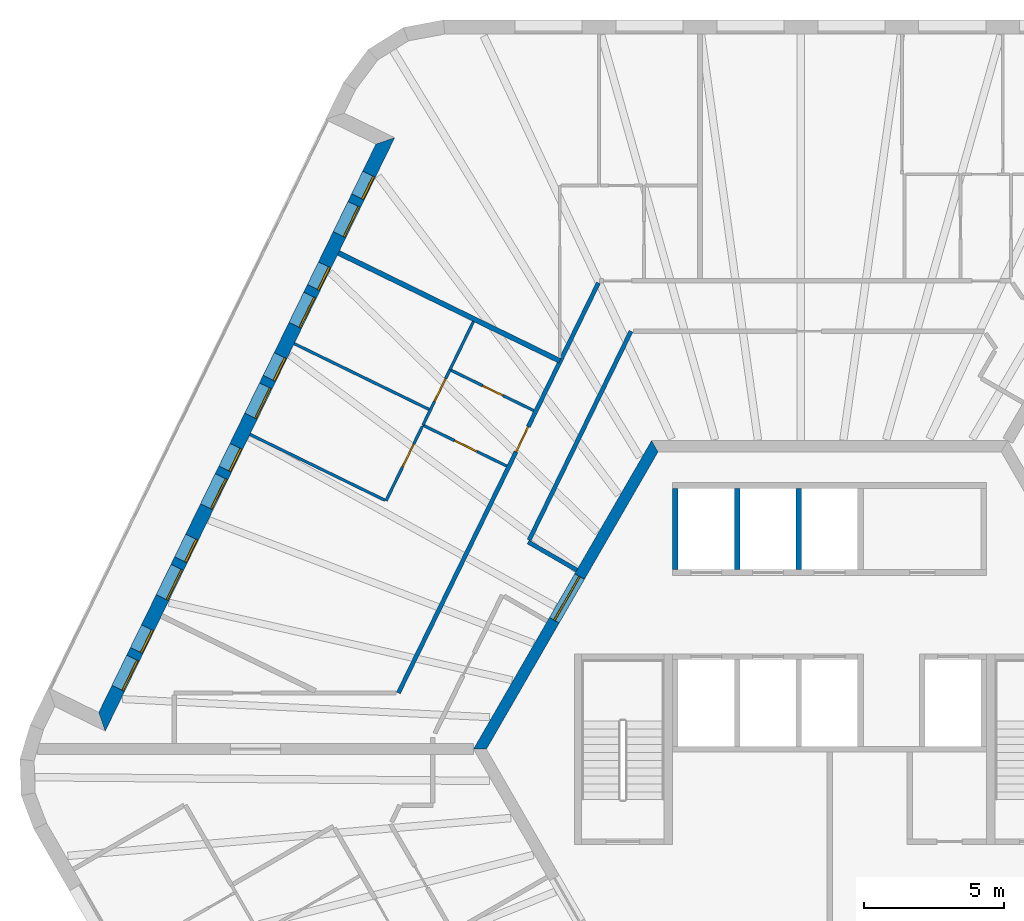
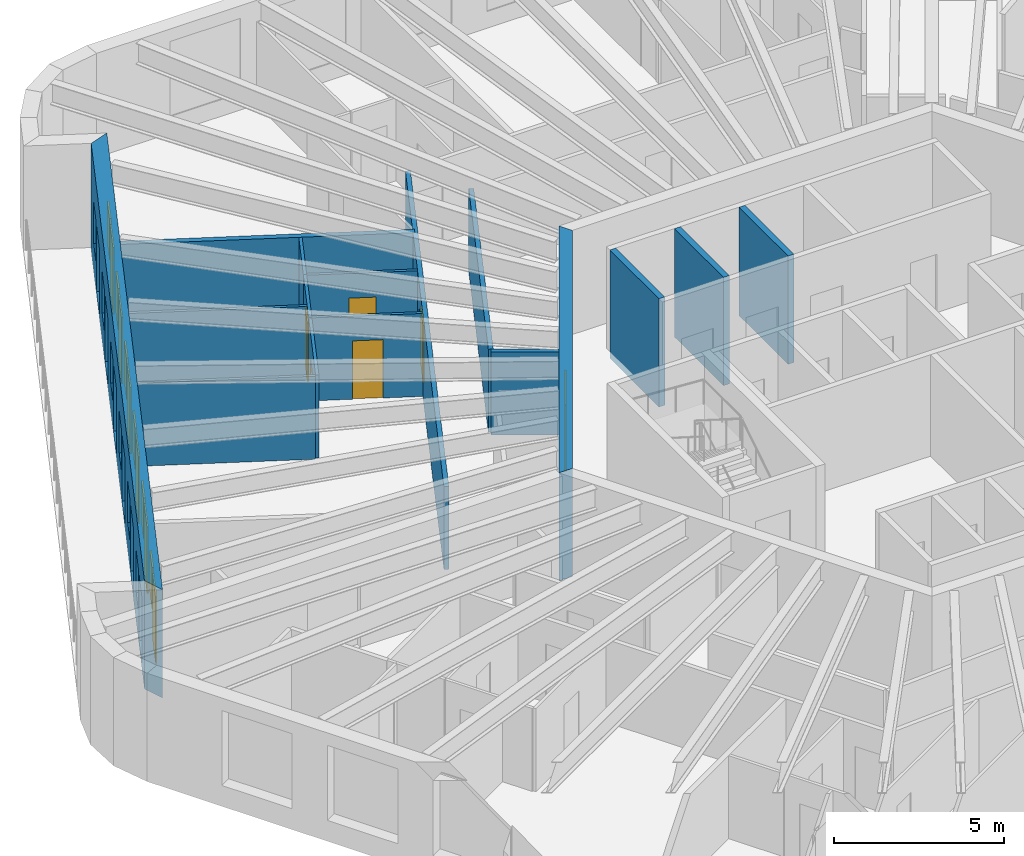
# One storey, part 8 of 12: 16 walls, 12 doors, 6 windows, 18 openings.
"""IFC4 building model written with IfcOpenShell, lengths in metres."""

from ifc_helpers import new_model, si_unit, direction, frame, frame_2d, origin, place, context, subcontext, project, spatial, polyline, rectangle, outline, extrude, material, layer, layer_set, type_object, element, fill, save


model = new_model("IFC4")

# Units and contexts
model_context = context("Model", 3, precision=1e-05, world=origin(), true_north=direction((0.0, 1.0)))
body_context = subcontext(model_context, "Body", "Model", "MODEL_VIEW")
ifc_project = project(units=[si_unit("LENGTHUNIT", "METRE"), si_unit("AREAUNIT", "SQUARE_METRE"), si_unit("VOLUMEUNIT", "CUBIC_METRE"), si_unit("PLANEANGLEUNIT", "RADIAN"), si_unit("MASSUNIT", "GRAM", prefix="KILO")], contexts=[model_context])

# Site, building, storey
site_placement = place(None, origin())
site = spatial("IfcSite", under=ifc_project, at=site_placement, CompositionType="ELEMENT")
building_placement = place(site_placement, origin())
building = spatial("IfcBuilding", under=site, at=building_placement, Name="Tarnside Tower", CompositionType="ELEMENT")
storey_placement = place(building_placement, frame((0.0, 0.0, 318.60009765625)))
storey = spatial("IfcBuildingStorey", under=building, at=storey_placement, Name="L77", CompositionType="ELEMENT", Elevation=318.60009765625)

# Wall, opening, door
ifc_material_1 = material(Name="Gypsum board partition on steel studs", Category="steel")
ifc_layer_1 = layer(ifc_material_1, 0.10009765625)
ifc_layer_set_1 = layer_set([ifc_layer_1], Name="Bathroom wall 100")
wall_type_1 = type_object("IfcWallType", Name="Bathroom wall 100", PredefinedType="PARTITIONING", material=ifc_layer_set_1)
wall_1_placement = place(storey_placement, frame((-10.551025390625, 12.07177734375, 0.0), z_axis=(0.0, 0.0, 1.0), x_axis=(-0.898803726577, 0.438351298723, 0.0)))
wall_1 = element("IfcWall", 1, at=wall_1_placement, inside=storey, type_object=wall_type_1, Name="Bathroom wall 25108", PredefinedType="PARTITIONING", context=body_context, shape_type="SweptSolid", body=[
    extrude(rectangle(XDim=3.324951171875, YDim=0.10009765625, at=frame_2d((1.66259765625, 0.0))), origin(), (0.0, 0.0, 1.0), 2.98779296875),
])
opening_1_placement = place(wall_1_placement, frame((1.22509765625, 0.0, 0.0)))
opening_1 = element("IfcOpeningElement", 2, at=opening_1_placement, cuts=wall_1, Name="Opening D-B1", PredefinedType="OPENING", context=body_context, shape_type="SweptSolid", body=[
    extrude(rectangle(XDim=0.800048828125, YDim=2.10009765625, at=frame_2d((0.39990234375, 1.050048828125))), frame((0.0, 0.06005859375, 0.0), z_axis=(0.0, -1.0, 0.0), x_axis=(1.0, 0.0, 0.0)), (0.0, 0.0, 1.0), 0.1201171875),
])
ifc_material_2 = material(Name="Timber door leaf", Category="wood")
door_type_1 = type_object("IfcDoorType", Name="Bathroom door 800", OperationType="NOTDEFINED", PredefinedType="DOOR", material=ifc_material_2)
door_1_placement = place(opening_1_placement, origin())
door_1 = element("IfcDoor", 3, at=door_1_placement, inside=storey, type_object=door_type_1, Name="Bathroom door 25017", OperationType="SINGLE_SWING_RIGHT", OverallHeight=2.10009765625, OverallWidth=0.800048828125, PredefinedType="DOOR", context=body_context, shape_type="SweptSolid", body=[
    extrude(rectangle(XDim=0.800048828125, YDim=2.10009765625, at=frame_2d((0.39990234375, 1.050048828125))), frame((0.0, 0.02490234375, 0.0), z_axis=(0.0, -1.0, 0.0), x_axis=(1.0, 0.0, 0.0)), (0.0, 0.0, 1.0), 0.050048828125),
])
fill(opening_1, door_1)

# Wall
wall_2_placement = place(storey_placement, frame((-12.7021484375, 15.245849609375, 0.0), z_axis=(0.0, 0.0, 1.0), x_axis=(-0.438355705964, -0.898801577128, 0.0)))
element("IfcWall", 4, at=wall_2_placement, inside=storey, type_object=wall_type_1, Name="Bathroom wall 25111", PredefinedType="PARTITIONING", context=body_context, shape_type="SweptSolid", body=[
    extrude(rectangle(XDim=1.912109375, YDim=0.10009765625, at=frame_2d((0.9560546875, 0.0))), origin(), (0.0, 0.0, 1.0), 2.98779296875),
])

# Wall, opening, door
ifc_material_3 = material(Name="Concrete C60/75", Category="concrete")
ifc_layer_2 = layer(ifc_material_3, 0.39990234375)
ifc_layer_set_2 = layer_set([ifc_layer_2], Name="Core wall Z3 400 C60/75")
wall_type_2 = type_object("IfcWallType", Name="Core wall Z3 400 C60/75", PredefinedType="SHEAR", material=ifc_layer_set_2)
wall_3_placement = place(storey_placement, frame((-6.2353515625, 10.800048828125, -0.150146484375), z_axis=(0.0, 0.0, 1.0), x_axis=(-0.499996419489, -0.866027470984, 0.0)))
wall_3 = element("IfcWall", 5, at=wall_3_placement, inside=storey, type_object=wall_type_2, Name="L77 core wall face 2", PredefinedType="SHEAR", context=body_context, shape_type="SweptSolid", body=[
    extrude(outline(polyline([(-0.115478515625, -0.199951171875), (12.586181640625, -0.199951171875), (12.355224609375, 0.199951171875), (0.115478515625, 0.199951171875), (-0.115478515625, -0.199951171875)])), origin(), (0.0, 0.0, 1.0), 3.900146484375),
])
opening_2_placement = place(wall_3_placement, frame((5.3642578125, 0.0, 0.14990234375)))
opening_2 = element("IfcOpeningElement", 6, at=opening_2_placement, cuts=wall_3, Name="Opening CD-LOB", PredefinedType="OPENING", context=body_context, shape_type="SweptSolid", body=[
    extrude(rectangle(XDim=1.800048828125, YDim=2.39990234375, at=frame_2d((0.89990234375, 1.199951171875))), frame((0.0, 0.2099609375, 0.0), z_axis=(0.0, -1.0, 0.0), x_axis=(1.0, 0.0, 0.0)), (0.0, 0.0, 1.0), 0.419921875),
])
ifc_material_4 = material(Name="Steel fire door", Category="steel")
door_type_2 = type_object("IfcDoorType", Name="Lobby double door FD30S 1800x2400", OperationType="NOTDEFINED", PredefinedType="DOOR", material=ifc_material_4)
door_2_placement = place(opening_2_placement, origin())
door_2 = element("IfcDoor", 7, at=door_2_placement, inside=storey, type_object=door_type_2, Name="L77 core door P1", OperationType="DOUBLE_DOOR_SINGLE_SWING", OverallHeight=2.39990234375, OverallWidth=1.800048828125, PredefinedType="DOOR", context=body_context, shape_type="SweptSolid", body=[
    extrude(rectangle(XDim=1.800048828125, YDim=2.39990234375, at=frame_2d((0.89990234375, 1.199951171875))), frame((0.0, 0.02490234375, 0.0), z_axis=(0.0, -1.0, 0.0), x_axis=(1.0, 0.0, 0.0)), (0.0, 0.0, 1.0), 0.050048828125),
])
fill(opening_2, door_2)

ifc_layer_3 = layer(ifc_material_1, 0.14990234375)
ifc_layer_set_3 = layer_set([ifc_layer_3], Name="Corridor wall 150 EI 60")
wall_type_3 = type_object("IfcWallType", Name="Corridor wall 150 EI 60", PredefinedType="PARTITIONING", material=ifc_layer_set_3)
wall_4_placement = place(storey_placement, frame((-8.24658203125, 16.625, 0.0), z_axis=(0.0, 0.0, 1.0), x_axis=(-0.438381655451, -0.898788920806, 0.0)))
wall_4 = element("IfcWall", 8, at=wall_4_placement, inside=storey, type_object=wall_type_3, Name="Corridor wall 25011", PredefinedType="PARTITIONING", context=body_context, shape_type="SweptSolid", body=[
    extrude(rectangle(XDim=16.27197265625, YDim=0.14990234375, at=frame_2d((8.135986328125, 0.0))), origin(), (0.0, 0.0, 1.0), 2.98779296875),
])
opening_3_placement = place(wall_4_placement, frame((5.70263671875, 0.0, 0.0)))
opening_3 = element("IfcOpeningElement", 9, at=opening_3_placement, cuts=wall_4, Name="Opening D-E1", PredefinedType="OPENING", context=body_context, shape_type="SweptSolid", body=[
    extrude(rectangle(XDim=1.0, YDim=2.10009765625, at=frame_2d((0.5, 1.050048828125))), frame((0.0, 0.0849609375, 0.0), z_axis=(0.0, -1.0, 0.0), x_axis=(1.0, 0.0, 0.0)), (0.0, 0.0, 1.0), 0.169921875),
])
door_type_3 = type_object("IfcDoorType", Name="Unit entrance door 1000 FD30S", OperationType="NOTDEFINED", PredefinedType="DOOR", material=ifc_material_2)
door_3_placement = place(opening_3_placement, origin())
door_3 = element("IfcDoor", 10, at=door_3_placement, inside=storey, type_object=door_type_3, Name="Unit door 25016", OperationType="SINGLE_SWING_LEFT", OverallHeight=2.10009765625, OverallWidth=1.0, PredefinedType="DOOR", context=body_context, shape_type="SweptSolid", body=[
    extrude(rectangle(XDim=1.0, YDim=2.10009765625, at=frame_2d((0.5, 1.050048828125))), frame((0.0, 0.02490234375, 0.0), z_axis=(0.0, -1.0, 0.0), x_axis=(1.0, 0.0, 0.0)), (0.0, 0.0, 1.0), 0.050048828125),
])
fill(opening_3, door_3)

# Walls
wall_5_placement = place(storey_placement, frame((-9.015625, 6.38427734375, 0.0), z_axis=(0.0, 0.0, 1.0), x_axis=(-0.866029291668, 0.499993265928, 0.0)))
element("IfcWall", 11, at=wall_5_placement, inside=storey, type_object=wall_type_3, Name="Corridor wall 25019", PredefinedType="PARTITIONING", context=body_context, shape_type="SweptSolid", body=[
    extrude(rectangle(XDim=2.0029296875, YDim=0.14990234375, at=frame_2d((1.00146484375, 0.0))), origin(), (0.0, 0.0, 1.0), 2.98779296875),
])
wall_6_placement = place(storey_placement, frame((-10.71728515625, 7.453369140625, 0.0), z_axis=(0.0, 0.0, 1.0), x_axis=(0.438363251035, 0.898797897273, 0.0)))
element("IfcWall", 12, at=wall_6_placement, inside=storey, type_object=wall_type_3, Name="Corridor wall 25020", PredefinedType="PARTITIONING", context=body_context, shape_type="SweptSolid", body=[
    extrude(rectangle(XDim=8.284912109375, YDim=0.14990234375, at=frame_2d((4.142578125, 0.0))), origin(), (0.0, 0.0, 1.0), 2.98779296875),
])
ifc_layer_4 = layer(ifc_material_1, 0.179931640625)
ifc_layer_set_4 = layer_set([ifc_layer_4], Name="Demising wall 180 EI 60")
wall_type_4 = type_object("IfcWallType", Name="Demising wall 180 EI 60", PredefinedType="PARTITIONING", material=ifc_layer_set_4)
wall_7_placement = place(storey_placement, frame((-17.51611328125, 17.694091796875, 0.0), z_axis=(0.0, 0.0, 1.0), x_axis=(0.898787414812, -0.438384743092, 0.0)))
element("IfcWall", 13, at=wall_7_placement, inside=storey, type_object=wall_type_4, Name="Demising wall 25099", PredefinedType="PARTITIONING", context=body_context, shape_type="SweptSolid", body=[
    extrude(rectangle(XDim=8.781982421875, YDim=0.179931640625, at=frame_2d((4.39111328125, 0.0))), origin(), (0.0, 0.0, 1.0), 2.98779296875),
])
ifc_material_5 = material(Name="Concrete C40/50", Category="concrete")
ifc_layer_5 = layer(ifc_material_5, 0.199951171875)
ifc_layer_set_5 = layer_set([ifc_layer_5], Name="Lift shaft wall 200 C40/50")
wall_type_5 = type_object("IfcWallType", Name="Lift shaft wall 200 C40/50", PredefinedType="SHEAR", material=ifc_layer_set_5)
for number, where, z_axis, x_axis, name in (
    (14, (-5.5, 6.39990234375, -0.25), (0.0, 0.0, 1.0), (0.0, 1.0, 0.0), "L77 lift shaft partition R11"),
    (15, (-3.300048828125, 6.39990234375, -0.25), (0.0, 0.0, 1.0), (0.0, 1.0, 0.0), "L77 lift shaft partition R12"),
    (16, (-1.10009765625, 6.39990234375, -0.25), (0.0, 0.0, 1.0), (0.0, 1.0, 0.0), "L77 lift shaft partition R13"),
):
    element("IfcWall", number, at=place(storey_placement, frame(where, z_axis=z_axis, x_axis=x_axis)), inside=storey, type_object=wall_type_5, Name=name, PredefinedType="SHEAR", context=body_context, shape_type="SweptSolid", body=[
        extrude(rectangle(XDim=2.900146484375, YDim=0.199951171875, at=frame_2d((1.4501953125, 0.0))), origin(), (0.0, 0.0, 1.0), 3.89990234375),
    ])

# Wall, openings, doors, windows
ifc_material_6 = material(Name="Dark zinc cladding")
ifc_layer_6 = layer(ifc_material_6, 0.10205078125)
ifc_material_7 = material(Name="Concrete C60/75 precast", Category="concrete")
ifc_layer_7 = layer(ifc_material_7, 0.298095703125)
ifc_material_8 = material(Name="Mineral wool insulation")
ifc_layer_8 = layer(ifc_material_8, 0.10009765625)
ifc_layer_set_6 = layer_set([ifc_layer_6, ifc_layer_7, ifc_layer_8], Name="Loggia wall 500 zinc faced")
wall_type_6 = type_object("IfcWallType", Name="Loggia wall 500 zinc faced", PredefinedType="SOLIDWALL", material=ifc_layer_set_6)
wall_8_placement = place(storey_placement, frame((-15.845947265625, 21.6884765625, -0.150146484375), z_axis=(0.0, 0.0, 1.0), x_axis=(-0.438377502627, -0.898790946322, 0.0)))
wall_8 = element("IfcWall", 17, at=wall_8_placement, inside=storey, type_object=wall_type_6, Name="Tube wall L77 F2 back 06", PredefinedType="SOLIDWALL", context=body_context, shape_type="SweptSolid", body=[
    extrude(outline(polyline([(0.25, -0.25), (22.794677734375, -0.25), (23.294677734375, 0.25), (-0.25, 0.25), (0.25, -0.25)])), origin(), (0.0, 0.0, 1.0), 3.900146484375),
])
opening_4_placement = place(wall_8_placement, frame((1.322509765625, 0.0, 1.050048828125)))
opening_4 = element("IfcOpeningElement", 18, at=opening_4_placement, cuts=wall_8, Name="Opening WL500", PredefinedType="OPENING", context=body_context, shape_type="SweptSolid", body=[
    extrude(rectangle(XDim=0.89990234375, YDim=1.5, at=frame_2d((0.449951171875, 0.75))), frame((0.0, 0.260009765625, 0.0), z_axis=(0.0, -1.0, 0.0), x_axis=(1.0, 0.0, 0.0)), (0.0, 0.0, 1.0), 0.52001953125),
])
opening_5_placement = place(wall_8_placement, frame((2.5224609375, 0.0, 0.14990234375)))
opening_5 = element("IfcOpeningElement", 19, at=opening_5_placement, cuts=wall_8, Name="Opening DB500", PredefinedType="OPENING", context=body_context, shape_type="SweptSolid", body=[
    extrude(rectangle(XDim=1.199951171875, YDim=2.39990234375, at=frame_2d((0.60009765625, 1.199951171875))), frame((0.0, 0.260009765625, 0.0), z_axis=(0.0, -1.0, 0.0), x_axis=(1.0, 0.0, 0.0)), (0.0, 0.0, 1.0), 0.52001953125),
])
opening_6_placement = place(wall_8_placement, frame((4.92236328125, 0.0, 1.050048828125)))
opening_6 = element("IfcOpeningElement", 20, at=opening_6_placement, cuts=wall_8, Name="Opening WL500", PredefinedType="OPENING", context=body_context, shape_type="SweptSolid", body=[
    extrude(rectangle(XDim=0.89990234375, YDim=1.5, at=frame_2d((0.449951171875, 0.75))), frame((0.0, 0.260009765625, 0.0), z_axis=(0.0, -1.0, 0.0), x_axis=(1.0, 0.0, 0.0)), (0.0, 0.0, 1.0), 0.52001953125),
])
opening_7_placement = place(wall_8_placement, frame((6.122314453125, 0.0, 0.14990234375)))
opening_7 = element("IfcOpeningElement", 21, at=opening_7_placement, cuts=wall_8, Name="Opening DB500", PredefinedType="OPENING", context=body_context, shape_type="SweptSolid", body=[
    extrude(rectangle(XDim=1.199951171875, YDim=2.39990234375, at=frame_2d((0.60009765625, 1.199951171875))), frame((0.0, 0.260009765625, 0.0), z_axis=(0.0, -1.0, 0.0), x_axis=(1.0, 0.0, 0.0)), (0.0, 0.0, 1.0), 0.52001953125),
])
opening_8_placement = place(wall_8_placement, frame((8.5224609375, 0.0, 1.050048828125)))
opening_8 = element("IfcOpeningElement", 22, at=opening_8_placement, cuts=wall_8, Name="Opening WL500", PredefinedType="OPENING", context=body_context, shape_type="SweptSolid", body=[
    extrude(rectangle(XDim=0.89990234375, YDim=1.5, at=frame_2d((0.449951171875, 0.75))), frame((0.0, 0.260009765625, 0.0), z_axis=(0.0, -1.0, 0.0), x_axis=(1.0, 0.0, 0.0)), (0.0, 0.0, 1.0), 0.52001953125),
])
opening_9_placement = place(wall_8_placement, frame((9.722412109375, 0.0, 0.14990234375)))
opening_9 = element("IfcOpeningElement", 23, at=opening_9_placement, cuts=wall_8, Name="Opening DB500", PredefinedType="OPENING", context=body_context, shape_type="SweptSolid", body=[
    extrude(rectangle(XDim=1.199951171875, YDim=2.39990234375, at=frame_2d((0.60009765625, 1.199951171875))), frame((0.0, 0.260009765625, 0.0), z_axis=(0.0, -1.0, 0.0), x_axis=(1.0, 0.0, 0.0)), (0.0, 0.0, 1.0), 0.52001953125),
])
opening_10_placement = place(wall_8_placement, frame((12.122314453125, 0.0, 1.050048828125)))
opening_10 = element("IfcOpeningElement", 24, at=opening_10_placement, cuts=wall_8, Name="Opening WL500", PredefinedType="OPENING", context=body_context, shape_type="SweptSolid", body=[
    extrude(rectangle(XDim=0.89990234375, YDim=1.5, at=frame_2d((0.449951171875, 0.75))), frame((0.0, 0.260009765625, 0.0), z_axis=(0.0, -1.0, 0.0), x_axis=(1.0, 0.0, 0.0)), (0.0, 0.0, 1.0), 0.52001953125),
])
opening_11_placement = place(wall_8_placement, frame((13.322509765625, 0.0, 0.14990234375)))
opening_11 = element("IfcOpeningElement", 25, at=opening_11_placement, cuts=wall_8, Name="Opening DB500", PredefinedType="OPENING", context=body_context, shape_type="SweptSolid", body=[
    extrude(rectangle(XDim=1.199951171875, YDim=2.39990234375, at=frame_2d((0.60009765625, 1.199951171875))), frame((0.0, 0.260009765625, 0.0), z_axis=(0.0, -1.0, 0.0), x_axis=(1.0, 0.0, 0.0)), (0.0, 0.0, 1.0), 0.52001953125),
])
opening_12_placement = place(wall_8_placement, frame((15.722412109375, 0.0, 1.050048828125)))
opening_12 = element("IfcOpeningElement", 26, at=opening_12_placement, cuts=wall_8, Name="Opening WL500", PredefinedType="OPENING", context=body_context, shape_type="SweptSolid", body=[
    extrude(rectangle(XDim=0.89990234375, YDim=1.5, at=frame_2d((0.449951171875, 0.75))), frame((0.0, 0.260009765625, 0.0), z_axis=(0.0, -1.0, 0.0), x_axis=(1.0, 0.0, 0.0)), (0.0, 0.0, 1.0), 0.52001953125),
])
opening_13_placement = place(wall_8_placement, frame((16.92236328125, 0.0, 0.14990234375)))
opening_13 = element("IfcOpeningElement", 27, at=opening_13_placement, cuts=wall_8, Name="Opening DB500", PredefinedType="OPENING", context=body_context, shape_type="SweptSolid", body=[
    extrude(rectangle(XDim=1.199951171875, YDim=2.39990234375, at=frame_2d((0.60009765625, 1.199951171875))), frame((0.0, 0.260009765625, 0.0), z_axis=(0.0, -1.0, 0.0), x_axis=(1.0, 0.0, 0.0)), (0.0, 0.0, 1.0), 0.52001953125),
])
opening_14_placement = place(wall_8_placement, frame((19.322509765625, 0.0, 1.050048828125)))
opening_14 = element("IfcOpeningElement", 28, at=opening_14_placement, cuts=wall_8, Name="Opening WL500", PredefinedType="OPENING", context=body_context, shape_type="SweptSolid", body=[
    extrude(rectangle(XDim=0.89990234375, YDim=1.5, at=frame_2d((0.449951171875, 0.75))), frame((0.0, 0.260009765625, 0.0), z_axis=(0.0, -1.0, 0.0), x_axis=(1.0, 0.0, 0.0)), (0.0, 0.0, 1.0), 0.52001953125),
])
opening_15_placement = place(wall_8_placement, frame((20.5224609375, 0.0, 0.14990234375)))
opening_15 = element("IfcOpeningElement", 29, at=opening_15_placement, cuts=wall_8, Name="Opening DB500", PredefinedType="OPENING", context=body_context, shape_type="SweptSolid", body=[
    extrude(rectangle(XDim=1.199951171875, YDim=2.39990234375, at=frame_2d((0.60009765625, 1.199951171875))), frame((0.0, 0.260009765625, 0.0), z_axis=(0.0, -1.0, 0.0), x_axis=(1.0, 0.0, 0.0)), (0.0, 0.0, 1.0), 0.52001953125),
])
ifc_material_9 = material(Name="Aluminium-framed double glazing", Category="aluminium")
door_type_4 = type_object("IfcDoorType", Name="Balcony sliding door 1200 x 2400 in 500 wall", OperationType="SLIDING_TO_LEFT", PredefinedType="DOOR", material=ifc_material_9)
door_4_placement = place(opening_5_placement, frame((0.0, 0.1748046875, 0.0)))
door_4 = element("IfcDoor", 30, at=door_4_placement, inside=storey, type_object=door_type_4, Name="E.BD.L77.F2.00", OperationType="SLIDING_TO_LEFT", OverallHeight=2.39990234375, OverallWidth=1.199951171875, PredefinedType="DOOR", context=body_context, shape_type="SweptSolid", body=[
    extrude(rectangle(XDim=1.199951171875, YDim=2.39990234375, at=frame_2d((0.60009765625, 1.199951171875))), frame((0.0, 0.02490234375, 0.0), z_axis=(0.0, -1.0, 0.0), x_axis=(1.0, 0.0, 0.0)), (0.0, 0.0, 1.0), 0.050048828125),
])
fill(opening_5, door_4)
door_5_placement = place(opening_7_placement, frame((0.0, 0.1748046875, 0.0)))
door_5 = element("IfcDoor", 31, at=door_5_placement, inside=storey, type_object=door_type_4, Name="E.BD.L77.F2.01", OperationType="SLIDING_TO_LEFT", OverallHeight=2.39990234375, OverallWidth=1.199951171875, PredefinedType="DOOR", context=body_context, shape_type="SweptSolid", body=[
    extrude(rectangle(XDim=1.199951171875, YDim=2.39990234375, at=frame_2d((0.60009765625, 1.199951171875))), frame((0.0, 0.02490234375, 0.0), z_axis=(0.0, -1.0, 0.0), x_axis=(1.0, 0.0, 0.0)), (0.0, 0.0, 1.0), 0.050048828125),
])
fill(opening_7, door_5)
door_6_placement = place(opening_9_placement, frame((0.0, 0.1748046875, 0.0)))
door_6 = element("IfcDoor", 32, at=door_6_placement, inside=storey, type_object=door_type_4, Name="E.BD.L77.F2.02", OperationType="SLIDING_TO_LEFT", OverallHeight=2.39990234375, OverallWidth=1.199951171875, PredefinedType="DOOR", context=body_context, shape_type="SweptSolid", body=[
    extrude(rectangle(XDim=1.199951171875, YDim=2.39990234375, at=frame_2d((0.60009765625, 1.199951171875))), frame((0.0, 0.02490234375, 0.0), z_axis=(0.0, -1.0, 0.0), x_axis=(1.0, 0.0, 0.0)), (0.0, 0.0, 1.0), 0.050048828125),
])
fill(opening_9, door_6)
door_7_placement = place(opening_11_placement, frame((0.0, 0.1748046875, 0.0)))
door_7 = element("IfcDoor", 33, at=door_7_placement, inside=storey, type_object=door_type_4, Name="E.BD.L77.F2.03", OperationType="SLIDING_TO_LEFT", OverallHeight=2.39990234375, OverallWidth=1.199951171875, PredefinedType="DOOR", context=body_context, shape_type="SweptSolid", body=[
    extrude(rectangle(XDim=1.199951171875, YDim=2.39990234375, at=frame_2d((0.60009765625, 1.199951171875))), frame((0.0, 0.02490234375, 0.0), z_axis=(0.0, -1.0, 0.0), x_axis=(1.0, 0.0, 0.0)), (0.0, 0.0, 1.0), 0.050048828125),
])
fill(opening_11, door_7)
door_8_placement = place(opening_13_placement, frame((0.0, 0.1748046875, 0.0)))
door_8 = element("IfcDoor", 34, at=door_8_placement, inside=storey, type_object=door_type_4, Name="E.BD.L77.F2.04", OperationType="SLIDING_TO_LEFT", OverallHeight=2.39990234375, OverallWidth=1.199951171875, PredefinedType="DOOR", context=body_context, shape_type="SweptSolid", body=[
    extrude(rectangle(XDim=1.199951171875, YDim=2.39990234375, at=frame_2d((0.60009765625, 1.199951171875))), frame((0.0, 0.02490234375, 0.0), z_axis=(0.0, -1.0, 0.0), x_axis=(1.0, 0.0, 0.0)), (0.0, 0.0, 1.0), 0.050048828125),
])
fill(opening_13, door_8)
door_9_placement = place(opening_15_placement, frame((0.0, 0.1748046875, 0.0)))
door_9 = element("IfcDoor", 35, at=door_9_placement, inside=storey, type_object=door_type_4, Name="E.BD.L77.F2.05", OperationType="SLIDING_TO_LEFT", OverallHeight=2.39990234375, OverallWidth=1.199951171875, PredefinedType="DOOR", context=body_context, shape_type="SweptSolid", body=[
    extrude(rectangle(XDim=1.199951171875, YDim=2.39990234375, at=frame_2d((0.60009765625, 1.199951171875))), frame((0.0, 0.02490234375, 0.0), z_axis=(0.0, -1.0, 0.0), x_axis=(1.0, 0.0, 0.0)), (0.0, 0.0, 1.0), 0.050048828125),
])
fill(opening_15, door_9)
window_type = type_object("IfcWindowType", Name="Loggia window 900 x 1500 in 500 wall", PartitioningType="SINGLE_PANEL", PredefinedType="WINDOW", material=ifc_material_9)
window_1_placement = place(opening_4_placement, frame((0.0, 0.179931640625, 0.0)))
window_1 = element("IfcWindow", 36, at=window_1_placement, inside=storey, type_object=window_type, Name="E.LW.L77.F2.00", OverallHeight=1.5, OverallWidth=0.89990234375, PartitioningType="SINGLE_PANEL", PredefinedType="WINDOW", context=body_context, shape_type="SweptSolid", body=[
    extrude(rectangle(XDim=0.89990234375, YDim=1.5, at=frame_2d((0.449951171875, 0.75))), frame((0.0, 0.030029296875, 0.0), z_axis=(0.0, -1.0, 0.0), x_axis=(1.0, 0.0, 0.0)), (0.0, 0.0, 1.0), 0.06005859375),
])
fill(opening_4, window_1)
window_2_placement = place(opening_6_placement, frame((0.0, 0.179931640625, 0.0)))
window_2 = element("IfcWindow", 37, at=window_2_placement, inside=storey, type_object=window_type, Name="E.LW.L77.F2.01", OverallHeight=1.5, OverallWidth=0.89990234375, PartitioningType="SINGLE_PANEL", PredefinedType="WINDOW", context=body_context, shape_type="SweptSolid", body=[
    extrude(rectangle(XDim=0.89990234375, YDim=1.5, at=frame_2d((0.449951171875, 0.75))), frame((0.0, 0.030029296875, 0.0), z_axis=(0.0, -1.0, 0.0), x_axis=(1.0, 0.0, 0.0)), (0.0, 0.0, 1.0), 0.06005859375),
])
fill(opening_6, window_2)
window_3_placement = place(opening_8_placement, frame((0.0, 0.179931640625, 0.0)))
window_3 = element("IfcWindow", 38, at=window_3_placement, inside=storey, type_object=window_type, Name="E.LW.L77.F2.02", OverallHeight=1.5, OverallWidth=0.89990234375, PartitioningType="SINGLE_PANEL", PredefinedType="WINDOW", context=body_context, shape_type="SweptSolid", body=[
    extrude(rectangle(XDim=0.89990234375, YDim=1.5, at=frame_2d((0.449951171875, 0.75))), frame((0.0, 0.030029296875, 0.0), z_axis=(0.0, -1.0, 0.0), x_axis=(1.0, 0.0, 0.0)), (0.0, 0.0, 1.0), 0.06005859375),
])
fill(opening_8, window_3)
window_4_placement = place(opening_10_placement, frame((0.0, 0.179931640625, 0.0)))
window_4 = element("IfcWindow", 39, at=window_4_placement, inside=storey, type_object=window_type, Name="E.LW.L77.F2.03", OverallHeight=1.5, OverallWidth=0.89990234375, PartitioningType="SINGLE_PANEL", PredefinedType="WINDOW", context=body_context, shape_type="SweptSolid", body=[
    extrude(rectangle(XDim=0.89990234375, YDim=1.5, at=frame_2d((0.449951171875, 0.75))), frame((0.0, 0.030029296875, 0.0), z_axis=(0.0, -1.0, 0.0), x_axis=(1.0, 0.0, 0.0)), (0.0, 0.0, 1.0), 0.06005859375),
])
fill(opening_10, window_4)
window_5_placement = place(opening_12_placement, frame((0.0, 0.179931640625, 0.0)))
window_5 = element("IfcWindow", 40, at=window_5_placement, inside=storey, type_object=window_type, Name="E.LW.L77.F2.04", OverallHeight=1.5, OverallWidth=0.89990234375, PartitioningType="SINGLE_PANEL", PredefinedType="WINDOW", context=body_context, shape_type="SweptSolid", body=[
    extrude(rectangle(XDim=0.89990234375, YDim=1.5, at=frame_2d((0.449951171875, 0.75))), frame((0.0, 0.030029296875, 0.0), z_axis=(0.0, -1.0, 0.0), x_axis=(1.0, 0.0, 0.0)), (0.0, 0.0, 1.0), 0.06005859375),
])
fill(opening_12, window_5)
window_6_placement = place(opening_14_placement, frame((0.0, 0.179931640625, 0.0)))
window_6 = element("IfcWindow", 41, at=window_6_placement, inside=storey, type_object=window_type, Name="E.LW.L77.F2.05", OverallHeight=1.5, OverallWidth=0.89990234375, PartitioningType="SINGLE_PANEL", PredefinedType="WINDOW", context=body_context, shape_type="SweptSolid", body=[
    extrude(rectangle(XDim=0.89990234375, YDim=1.5, at=frame_2d((0.449951171875, 0.75))), frame((0.0, 0.030029296875, 0.0), z_axis=(0.0, -1.0, 0.0), x_axis=(1.0, 0.0, 0.0)), (0.0, 0.0, 1.0), 0.06005859375),
])
fill(opening_14, window_6)

# Wall, opening, door
ifc_layer_9 = layer(ifc_material_1, 0.10009765625)
ifc_layer_set_7 = layer_set([ifc_layer_9], Name="Partition 100")
wall_type_7 = type_object("IfcWallType", Name="Partition 100", PredefinedType="PARTITIONING", material=ifc_layer_set_7)
wall_9_placement = place(storey_placement, frame((-11.515380859375, 10.09423828125, 0.0), z_axis=(0.0, 0.0, 1.0), x_axis=(-0.898774796437, 0.438410612656, 0.0)))
wall_9 = element("IfcWall", 42, at=wall_9_placement, inside=storey, type_object=wall_type_7, Name="Partition wall 25104", PredefinedType="PARTITIONING", context=body_context, shape_type="SweptSolid", body=[
    extrude(rectangle(XDim=3.3251953125, YDim=0.10009765625, at=frame_2d((1.66259765625, 0.0))), origin(), (0.0, 0.0, 1.0), 2.98779296875),
])
opening_16_placement = place(wall_9_placement, frame((1.175048828125, 0.0, 0.0)))
opening_16 = element("IfcOpeningElement", 43, at=opening_16_placement, cuts=wall_9, Name="Opening D-I1", PredefinedType="OPENING", context=body_context, shape_type="SweptSolid", body=[
    extrude(rectangle(XDim=0.89990234375, YDim=2.10009765625, at=frame_2d((0.449951171875, 1.050048828125))), frame((0.0, 0.06005859375, 0.0), z_axis=(0.0, -1.0, 0.0), x_axis=(1.0, 0.0, 0.0)), (0.0, 0.0, 1.0), 0.1201171875),
])
door_type_5 = type_object("IfcDoorType", Name="Internal door 900", OperationType="NOTDEFINED", PredefinedType="DOOR", material=ifc_material_2)
door_10_placement = place(opening_16_placement, origin())
door_10 = element("IfcDoor", 44, at=door_10_placement, inside=storey, type_object=door_type_5, Name="Internal door 25018", OperationType="SINGLE_SWING_RIGHT", OverallHeight=2.10009765625, OverallWidth=0.89990234375, PredefinedType="DOOR", context=body_context, shape_type="SweptSolid", body=[
    extrude(rectangle(XDim=0.89990234375, YDim=2.10009765625, at=frame_2d((0.449951171875, 1.050048828125))), frame((0.0, 0.02490234375, 0.0), z_axis=(0.0, -1.0, 0.0), x_axis=(1.0, 0.0, 0.0)), (0.0, 0.0, 1.0), 0.050048828125),
])
fill(opening_16, door_10)

wall_10_placement = place(storey_placement, frame((-14.52490234375, 11.5087890625, 0.0), z_axis=(0.0, 0.0, 1.0), x_axis=(-0.438325864236, -0.898816130664, 0.0)))
wall_10 = element("IfcWall", 45, at=wall_10_placement, inside=storey, type_object=wall_type_7, Name="Partition wall 25105", PredefinedType="PARTITIONING", context=body_context, shape_type="SweptSolid", body=[
    extrude(rectangle(XDim=2.951904296875, YDim=0.10009765625, at=frame_2d((1.47607421875, 0.0))), origin(), (0.0, 0.0, 1.0), 2.98779296875),
])
opening_17_placement = place(wall_10_placement, frame((0.701904296875, 0.0, 0.0)))
opening_17 = element("IfcOpeningElement", 46, at=opening_17_placement, cuts=wall_10, Name="Opening D-I1", PredefinedType="OPENING", context=body_context, shape_type="SweptSolid", body=[
    extrude(rectangle(XDim=0.89990234375, YDim=2.10009765625, at=frame_2d((0.449951171875, 1.050048828125))), frame((0.0, 0.06005859375, 0.0), z_axis=(0.0, -1.0, 0.0), x_axis=(1.0, 0.0, 0.0)), (0.0, 0.0, 1.0), 0.1201171875),
])
door_11_placement = place(opening_17_placement, origin())
door_11 = element("IfcDoor", 47, at=door_11_placement, inside=storey, type_object=door_type_5, Name="Internal door 25020", OperationType="SINGLE_SWING_RIGHT", OverallHeight=2.10009765625, OverallWidth=0.89990234375, PredefinedType="DOOR", context=body_context, shape_type="SweptSolid", body=[
    extrude(rectangle(XDim=0.89990234375, YDim=2.10009765625, at=frame_2d((0.449951171875, 1.050048828125))), frame((0.0, 0.02490234375, 0.0), z_axis=(0.0, -1.0, 0.0), x_axis=(1.0, 0.0, 0.0)), (0.0, 0.0, 1.0), 0.050048828125),
])
fill(opening_17, door_11)

# Wall
wall_11_placement = place(storey_placement, frame((-15.864013671875, 8.87744140625, 0.0), z_axis=(0.0, 0.0, 1.0), x_axis=(-0.898792128327, 0.438375079193, 0.0)))
element("IfcWall", 48, at=wall_11_placement, inside=storey, type_object=wall_type_7, Name="Partition wall 25106", PredefinedType="PARTITIONING", context=body_context, shape_type="SweptSolid", body=[
    extrude(rectangle(XDim=5.349853515625, YDim=0.10009765625, at=frame_2d((2.6748046875, 0.0))), origin(), (0.0, 0.0, 1.0), 2.98779296875),
])

# Wall, opening, door
wall_12_placement = place(storey_placement, frame((-13.53857421875, 13.531005859375, 0.0), z_axis=(0.0, 0.0, 1.0), x_axis=(-0.438329783762, -0.898814219217, 0.0)))
wall_12 = element("IfcWall", 49, at=wall_12_placement, inside=storey, type_object=wall_type_7, Name="Partition wall 25109", PredefinedType="PARTITIONING", context=body_context, shape_type="SweptSolid", body=[
    extrude(rectangle(XDim=2.203857421875, YDim=0.10009765625, at=frame_2d((1.10205078125, 0.0))), origin(), (0.0, 0.0, 1.0), 2.98779296875),
])
opening_18_placement = place(wall_12_placement, frame((0.35205078125, 0.0, 0.0)))
opening_18 = element("IfcOpeningElement", 50, at=opening_18_placement, cuts=wall_12, Name="Opening D-I1", PredefinedType="OPENING", context=body_context, shape_type="SweptSolid", body=[
    extrude(rectangle(XDim=0.89990234375, YDim=2.10009765625, at=frame_2d((0.449951171875, 1.050048828125))), frame((0.0, 0.06005859375, 0.0), z_axis=(0.0, -1.0, 0.0), x_axis=(1.0, 0.0, 0.0)), (0.0, 0.0, 1.0), 0.1201171875),
])
door_12_placement = place(opening_18_placement, origin())
door_12 = element("IfcDoor", 51, at=door_12_placement, inside=storey, type_object=door_type_5, Name="Internal door 25019", OperationType="SINGLE_SWING_RIGHT", OverallHeight=2.10009765625, OverallWidth=0.89990234375, PredefinedType="DOOR", context=body_context, shape_type="SweptSolid", body=[
    extrude(rectangle(XDim=0.89990234375, YDim=2.10009765625, at=frame_2d((0.449951171875, 1.050048828125))), frame((0.0, 0.02490234375, 0.0), z_axis=(0.0, -1.0, 0.0), x_axis=(1.0, 0.0, 0.0)), (0.0, 0.0, 1.0), 0.050048828125),
])
fill(opening_18, door_12)

# Wall
wall_13_placement = place(storey_placement, frame((-19.09423828125, 14.45849609375, 0.0), z_axis=(0.0, 0.0, 1.0), x_axis=(0.898774147156, -0.438411943728, 0.0)))
element("IfcWall", 52, at=wall_13_placement, inside=storey, type_object=wall_type_7, Name="Partition wall 25112", PredefinedType="PARTITIONING", context=body_context, shape_type="SweptSolid", body=[
    extrude(rectangle(XDim=5.349853515625, YDim=0.10009765625, at=frame_2d((2.6748046875, 0.0))), origin(), (0.0, 0.0, 1.0), 2.98779296875),
])

save(model, "model.ifc")
